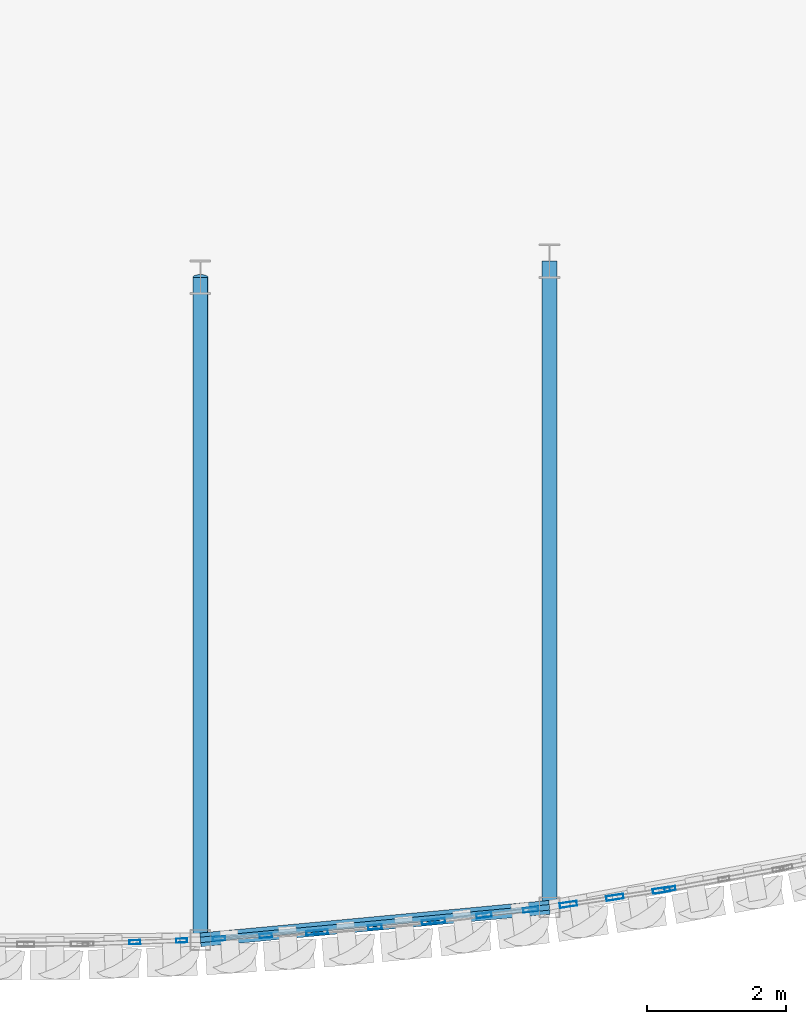
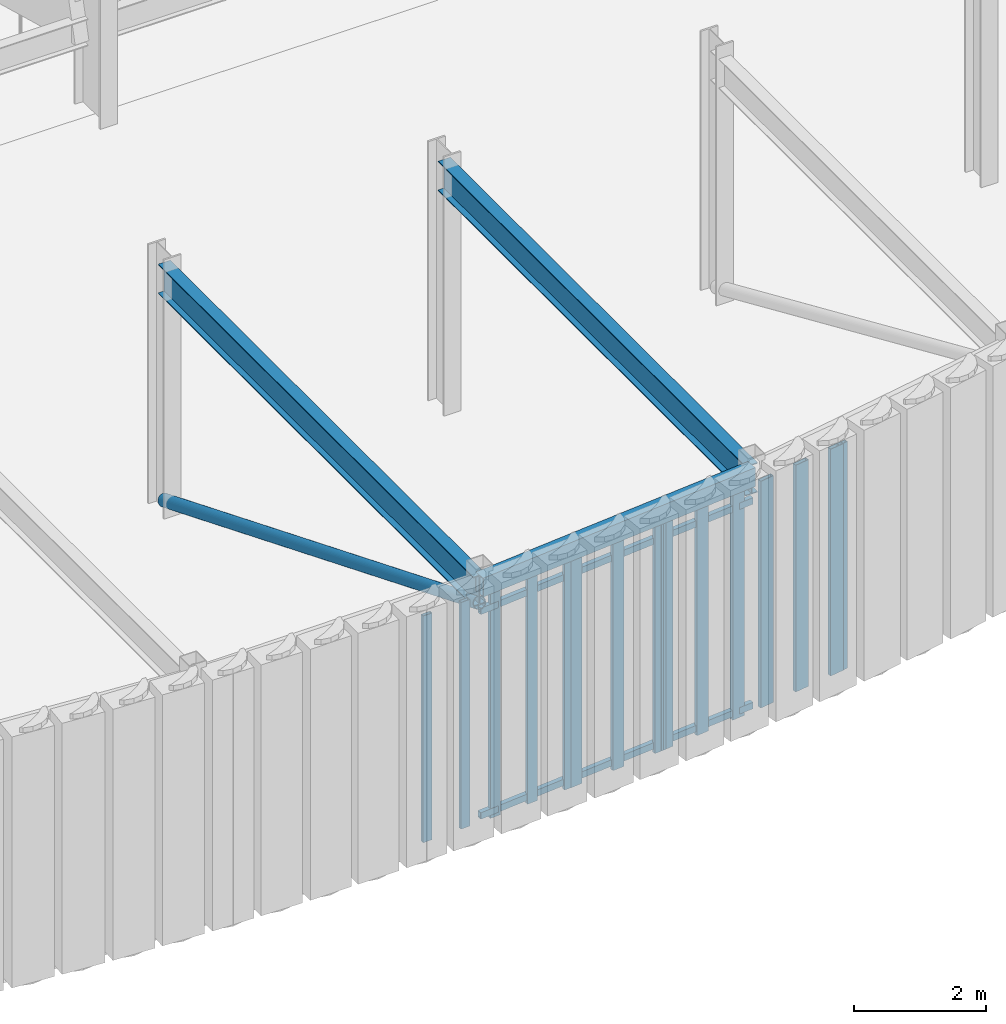
# One storey, part 46 of 121: 18 members, 3 beams, 6 elements without a shape of their own.
"""IFC4 building model written with IfcOpenShell, lengths in metres."""

from ifc_helpers import new_model, si_unit, direction, frame, origin, origin_2d, place, context, subcontext, project, spatial, hollow_rectangle, hollow_circle, i_section, extrude, material, layer, layer_set, material_profile, profile_set, type_object, element, aggregate, save


model = new_model("IFC4")

# Units and contexts
model_context = context("Model", 3, precision=1e-05, world=origin(), true_north=direction((0.0, 1.0)))
body_context = subcontext(model_context, "Body", "Model", "MODEL_VIEW")
ifc_project = project(units=[si_unit("LENGTHUNIT", "METRE"), si_unit("AREAUNIT", "SQUARE_METRE"), si_unit("VOLUMEUNIT", "CUBIC_METRE"), si_unit("PLANEANGLEUNIT", "RADIAN"), si_unit("MASSUNIT", "GRAM", prefix="KILO")], contexts=[model_context])

# Site, building, storey
site_placement = place(None, origin())
site = spatial("IfcSite", under=ifc_project, at=site_placement, CompositionType="ELEMENT")
building_placement = place(site_placement, origin())
building = spatial("IfcBuilding", under=site, at=building_placement, Name="Solvadek Multi-Sports Hall", CompositionType="ELEMENT")
storey_placement = place(building_placement, frame((0.0, 0.0, 4.800048828125)))
storey = spatial("IfcBuildingStorey", under=building, at=storey_placement, Name="L01", CompositionType="ELEMENT", Elevation=4.800048828125)

# Curtain wall, members
ifc_material_1 = material(Name="Anodised aluminium", Category="aluminium")
ifc_layer_1 = layer(ifc_material_1, 0.159912109375, Name="Anodised aluminium")
ifc_layer_set_1 = layer_set([ifc_layer_1], Name="Anodised aluminium")
curtain_wall_type_1 = type_object("IfcCurtainWallType", Name="ENV-CW-141X420", PredefinedType="USERDEFINED", material=ifc_layer_set_1)
curtain_wall_1_placement = place(storey_placement, origin())
curtain_wall_1 = element("IfcCurtainWall", 1, at=curtain_wall_1_placement, inside=storey, type_object=curtain_wall_type_1, Name="L01 Crescent Curved Curtain Wall #65", ObjectType="CURTAIN WALL", PredefinedType="USERDEFINED")
ifc_material_profile_1 = material_profile(ifc_material_1, hollow_rectangle(XDim=0.06005859375, YDim=0.159912109375, WallThickness=0.00390625, at=origin_2d()), Name="ALU-M 160x60x4")
ifc_profile_set_1 = profile_set([ifc_material_profile_1], Name="Anodised aluminium")
member_type_1 = type_object("IfcMemberType", Name="ENV-CWM-01", PredefinedType="MULLION", material=ifc_profile_set_1)
member_1_placement = place(storey_placement, frame((95.53515625, -13.161865234375, 0.0), z_axis=(0.0, 0.0, 1.0), x_axis=(-0.035011498004, 0.999386909564, 0.0)))
member_1 = element("IfcMember", 2, at=member_1_placement, type_object=member_type_1, Name="CW-28 mullion 2", PredefinedType="MULLION", context=body_context, shape_type="SweptSolid", body=[
    extrude(hollow_rectangle(XDim=0.06005859375, YDim=0.159912109375, WallThickness=0.00390625, at=origin_2d()), origin(), (0.0, 0.0, 1.0), 4.199951171875),
])
member_2_placement = place(storey_placement, frame((96.210205078125, -13.13818359375, 0.0), z_axis=(0.0, 0.0, 1.0), x_axis=(-0.035011498004, 0.999386909564, 0.0)))
member_2 = element("IfcMember", 3, at=member_2_placement, type_object=member_type_1, Name="CW-28 mullion 3", PredefinedType="MULLION", context=body_context, shape_type="SweptSolid", body=[
    extrude(hollow_rectangle(XDim=0.06005859375, YDim=0.159912109375, WallThickness=0.00390625, at=origin_2d()), origin(), (0.0, 0.0, 1.0), 4.199951171875),
])
aggregate(curtain_wall_1, [member_1, member_2])

# Curtain wall, member
ifc_layer_2 = layer(ifc_material_1, 0.159912109375, Name="Anodised aluminium")
ifc_layer_set_2 = layer_set([ifc_layer_2], Name="Anodised aluminium")
curtain_wall_type_2 = type_object("IfcCurtainWallType", Name="ENV-CW-165X420", PredefinedType="USERDEFINED", material=ifc_layer_set_2)
curtain_wall_2_placement = place(storey_placement, origin())
curtain_wall_2 = element("IfcCurtainWall", 4, at=curtain_wall_2_placement, inside=storey, type_object=curtain_wall_type_2, Name="L01 Crescent Curved Curtain Wall #75", ObjectType="CURTAIN WALL", PredefinedType="USERDEFINED")
member_3_placement = place(storey_placement, frame((103.259033203125, -12.39208984375, 0.0), z_axis=(0.0, 0.0, 1.0), x_axis=(-0.17939811869, 0.983776557461, 0.0)))
member_3 = element("IfcMember", 5, at=member_3_placement, type_object=member_type_1, Name="CW-25 mullion 1", PredefinedType="MULLION", context=body_context, shape_type="SweptSolid", body=[
    extrude(hollow_rectangle(XDim=0.06005859375, YDim=0.159912109375, WallThickness=0.00390625, at=origin_2d()), origin(), (0.0, 0.0, 1.0), 4.199951171875),
])
aggregate(curtain_wall_2, [member_3])

# Curtain wall, members
curtain_wall_3_placement = place(storey_placement, origin())
curtain_wall_3 = element("IfcCurtainWall", 6, at=curtain_wall_3_placement, inside=storey, type_object=curtain_wall_type_1, Name="L01 Crescent Curved Curtain Wall #67", ObjectType="CURTAIN WALL", PredefinedType="USERDEFINED")
ifc_material_profile_2 = material_profile(ifc_material_1, hollow_rectangle(XDim=0.06005859375, YDim=0.179931640625, WallThickness=0.00390625, at=origin_2d()), Name="ALU-M 180x60x4")
ifc_profile_set_2 = profile_set([ifc_material_profile_2], Name="Anodised aluminium")
member_type_2 = type_object("IfcMemberType", Name="ENV-CWM-02", PredefinedType="MULLION", material=ifc_profile_set_2)
member_4_placement = place(storey_placement, frame((96.74951171875, -13.111572265625, 0.0), z_axis=(0.0, 0.0, 1.0), x_axis=(-0.063955006096, 0.997952783049, 0.0)))
member_4 = element("IfcMember", 7, at=member_4_placement, type_object=member_type_2, Name="CW-28 mullion 1", PredefinedType="MULLION", context=body_context, shape_type="SweptSolid", body=[
    extrude(hollow_rectangle(XDim=0.06005859375, YDim=0.179931640625, WallThickness=0.00390625, at=origin_2d()), origin(), (0.0, 0.0, 1.0), 4.199951171875),
])
member_5_placement = place(storey_placement, frame((97.4248046875, -13.068115234375, 0.0), z_axis=(0.0, 0.0, 1.0), x_axis=(-0.063955006096, 0.997952783049, 0.0)))
member_5 = element("IfcMember", 8, at=member_5_placement, type_object=member_type_2, Name="CW-28 mullion 2", PredefinedType="MULLION", context=body_context, shape_type="SweptSolid", body=[
    extrude(hollow_rectangle(XDim=0.06005859375, YDim=0.179931640625, WallThickness=0.00390625, at=origin_2d()), origin(), (0.0, 0.0, 1.0), 4.199951171875),
])
member_6_placement = place(storey_placement, frame((98.10009765625, -13.02490234375, 0.0), z_axis=(0.0, 0.0, 1.0), x_axis=(-0.063955006096, 0.997952783049, 0.0)))
member_6 = element("IfcMember", 9, at=member_6_placement, type_object=member_type_2, Name="CW-28 mullion 3", PredefinedType="MULLION", context=body_context, shape_type="SweptSolid", body=[
    extrude(hollow_rectangle(XDim=0.06005859375, YDim=0.179931640625, WallThickness=0.00390625, at=origin_2d()), origin(), (0.0, 0.0, 1.0), 4.199951171875),
])
aggregate(curtain_wall_3, [member_4, member_5, member_6])

ifc_layer_3 = layer(ifc_material_1, 0.159912109375, Name="Anodised aluminium")
ifc_layer_set_3 = layer_set([ifc_layer_3], Name="Anodised aluminium")
curtain_wall_type_3 = type_object("IfcCurtainWallType", Name="ENV-CW-163X420", PredefinedType="USERDEFINED", material=ifc_layer_set_3)
curtain_wall_4_placement = place(storey_placement, origin())
curtain_wall_4 = element("IfcCurtainWall", 10, at=curtain_wall_4_placement, inside=storey, type_object=curtain_wall_type_3, Name="L01 Crescent Curved Curtain Wall #69", ObjectType="CURTAIN WALL", PredefinedType="USERDEFINED")
ifc_material_profile_3 = material_profile(ifc_material_1, hollow_rectangle(XDim=0.06494140625, YDim=0.199951171875, WallThickness=0.0048828125, at=origin_2d()), Name="ALU-M 200x65x5")
ifc_profile_set_3 = profile_set([ifc_material_profile_3], Name="Anodised aluminium")
member_type_3 = type_object("IfcMemberType", Name="ENV-CWM-03", PredefinedType="MULLION", material=ifc_profile_set_3)
member_7_placement = place(storey_placement, frame((98.22216796875, -13.015380859375, 0.0), z_axis=(0.0, 0.0, 1.0), x_axis=(-0.092796230852, 0.995685120678, 0.0)))
member_7 = element("IfcMember", 11, at=member_7_placement, type_object=member_type_3, Name="CW-15 mullion 1", PredefinedType="MULLION", context=body_context, shape_type="SweptSolid", body=[
    extrude(hollow_rectangle(XDim=0.06494140625, YDim=0.199951171875, WallThickness=0.0048828125, at=origin_2d()), origin(), (0.0, 0.0, 1.0), 4.199951171875),
])
member_8_placement = place(storey_placement, frame((99.0, -12.94287109375, 0.0), z_axis=(0.0, 0.0, 1.0), x_axis=(-0.092796230852, 0.995685120678, 0.0)))
member_8 = element("IfcMember", 12, at=member_8_placement, type_object=member_type_3, Name="CW-15 mullion 2", PredefinedType="MULLION", context=body_context, shape_type="SweptSolid", body=[
    extrude(hollow_rectangle(XDim=0.06494140625, YDim=0.199951171875, WallThickness=0.0048828125, at=origin_2d()), origin(), (0.0, 0.0, 1.0), 4.199951171875),
])
member_9_placement = place(storey_placement, frame((99.77783203125, -12.870361328125, 0.0), z_axis=(0.0, 0.0, 1.0), x_axis=(-0.092796230852, 0.995685120678, 0.0)))
member_9 = element("IfcMember", 13, at=member_9_placement, type_object=member_type_3, Name="CW-15 mullion 3", PredefinedType="MULLION", context=body_context, shape_type="SweptSolid", body=[
    extrude(hollow_rectangle(XDim=0.06494140625, YDim=0.199951171875, WallThickness=0.0048828125, at=origin_2d()), origin(), (0.0, 0.0, 1.0), 4.199951171875),
])
aggregate(curtain_wall_4, [member_7, member_8, member_9])

ifc_layer_4 = layer(ifc_material_1, 0.159912109375, Name="Anodised aluminium")
ifc_layer_set_4 = layer_set([ifc_layer_4], Name="Anodised aluminium")
curtain_wall_type_4 = type_object("IfcCurtainWallType", Name="ENV-CW-142X420", PredefinedType="USERDEFINED", material=ifc_layer_set_4)
curtain_wall_5_placement = place(storey_placement, origin())
curtain_wall_5 = element("IfcCurtainWall", 14, at=curtain_wall_5_placement, inside=storey, type_object=curtain_wall_type_4, Name="L01 Crescent Curved Curtain Wall #71", ObjectType="CURTAIN WALL", PredefinedType="USERDEFINED")
ifc_material_profile_4 = material_profile(ifc_material_1, hollow_rectangle(XDim=0.06494140625, YDim=0.219970703125, WallThickness=0.0048828125, at=origin_2d()), Name="ALU-M 220x65x5")
ifc_profile_set_4 = profile_set([ifc_material_profile_4], Name="Anodised aluminium")
member_type_4 = type_object("IfcMemberType", Name="ENV-CWM-04", PredefinedType="MULLION", material=ifc_profile_set_4)
member_10_placement = place(storey_placement, frame((99.902099609375, -12.85693359375, 0.0), z_axis=(0.0, 0.0, 1.0), x_axis=(-0.12168111635, 0.992569244901, 0.0)))
member_10 = element("IfcMember", 15, at=member_10_placement, type_object=member_type_4, Name="CW-27 mullion 1", PredefinedType="MULLION", context=body_context, shape_type="SweptSolid", body=[
    extrude(hollow_rectangle(XDim=0.06494140625, YDim=0.219970703125, WallThickness=0.0048828125, at=origin_2d()), origin(), (0.0, 0.0, 1.0), 4.199951171875),
])
member_11_placement = place(storey_placement, frame((100.57568359375, -12.7744140625, 0.0), z_axis=(0.0, 0.0, 1.0), x_axis=(-0.12168111635, 0.992569244901, 0.0)))
member_11 = element("IfcMember", 16, at=member_11_placement, type_object=member_type_4, Name="CW-27 mullion 2", PredefinedType="MULLION", context=body_context, shape_type="SweptSolid", body=[
    extrude(hollow_rectangle(XDim=0.06494140625, YDim=0.219970703125, WallThickness=0.0048828125, at=origin_2d()), origin(), (0.0, 0.0, 1.0), 4.199951171875),
])
member_12_placement = place(storey_placement, frame((101.24951171875, -12.691650390625, 0.0), z_axis=(0.0, 0.0, 1.0), x_axis=(-0.12168111635, 0.992569244901, 0.0)))
member_12 = element("IfcMember", 17, at=member_12_placement, type_object=member_type_4, Name="CW-27 mullion 3", PredefinedType="MULLION", context=body_context, shape_type="SweptSolid", body=[
    extrude(hollow_rectangle(XDim=0.06494140625, YDim=0.219970703125, WallThickness=0.0048828125, at=origin_2d()), origin(), (0.0, 0.0, 1.0), 4.199951171875),
])
aggregate(curtain_wall_5, [member_10, member_11, member_12])

ifc_layer_5 = layer(ifc_material_1, 0.159912109375, Name="Anodised aluminium")
ifc_layer_set_5 = layer_set([ifc_layer_5], Name="Anodised aluminium")
curtain_wall_type_5 = type_object("IfcCurtainWallType", Name="ENV-CW-143X420", PredefinedType="USERDEFINED", material=ifc_layer_set_5)
curtain_wall_6_placement = place(storey_placement, origin())
curtain_wall_6 = element("IfcCurtainWall", 18, at=curtain_wall_6_placement, inside=storey, type_object=curtain_wall_type_5, Name="L01 Crescent Curved Curtain Wall #73", ObjectType="CURTAIN WALL", PredefinedType="USERDEFINED")
ifc_material_profile_5 = material_profile(ifc_material_1, hollow_rectangle(XDim=0.070068359375, YDim=0.25, WallThickness=0.0048828125, at=origin_2d()), Name="ALU-M 250x70x5")
ifc_profile_set_5 = profile_set([ifc_material_profile_5], Name="Anodised aluminium")
member_type_5 = type_object("IfcMemberType", Name="ENV-CWM-05", PredefinedType="MULLION", material=ifc_profile_set_5)
member_13_placement = place(storey_placement, frame((101.7919921875, -12.6171875, 0.0), z_axis=(0.0, 0.0, 1.0), x_axis=(-0.150563892653, 0.98860028031, 0.0)))
member_13 = element("IfcMember", 19, at=member_13_placement, type_object=member_type_5, Name="CW-26 mullion 1", PredefinedType="MULLION", context=body_context, shape_type="SweptSolid", body=[
    extrude(hollow_rectangle(XDim=0.070068359375, YDim=0.25, WallThickness=0.0048828125, at=origin_2d()), origin(), (0.0, 0.0, 1.0), 4.199951171875),
])
member_14_placement = place(storey_placement, frame((102.4638671875, -12.514892578125, 0.0), z_axis=(0.0, 0.0, 1.0), x_axis=(-0.150563892653, 0.98860028031, 0.0)))
member_14 = element("IfcMember", 20, at=member_14_placement, type_object=member_type_5, Name="CW-26 mullion 2", PredefinedType="MULLION", context=body_context, shape_type="SweptSolid", body=[
    extrude(hollow_rectangle(XDim=0.070068359375, YDim=0.25, WallThickness=0.0048828125, at=origin_2d()), origin(), (0.0, 0.0, 1.0), 4.199951171875),
])
member_15_placement = place(storey_placement, frame((103.1357421875, -12.41259765625, 0.0), z_axis=(0.0, 0.0, 1.0), x_axis=(-0.150563892653, 0.98860028031, 0.0)))
member_15 = element("IfcMember", 21, at=member_15_placement, type_object=member_type_5, Name="CW-26 mullion 3", PredefinedType="MULLION", context=body_context, shape_type="SweptSolid", body=[
    extrude(hollow_rectangle(XDim=0.070068359375, YDim=0.25, WallThickness=0.0048828125, at=origin_2d()), origin(), (0.0, 0.0, 1.0), 4.199951171875),
])
aggregate(curtain_wall_6, [member_13, member_14, member_15])

# Beams
ifc_material_2 = material(Name="Steel E350 (350 MPa)", Category="steel")
ifc_material_profile_6 = material_profile(ifc_material_2, i_section(OverallWidth=0.2099609375, OverallDepth=0.550048828125, WebThickness=0.010986328125, FlangeThickness=0.01708984375, at=origin_2d()), Name="NPB 550")
ifc_profile_set_6 = profile_set([ifc_material_profile_6], Name="Steel E350 (350 MPa)")
beam_type_1 = type_object("IfcBeamType", Name="STR-BM-NPB550", PredefinedType="BEAM", material=ifc_profile_set_6)
beam_1_placement = place(storey_placement, frame((96.47998046875, -13.128662109375, 4.284912109375), z_axis=(0.0, 1.0, 0.0), x_axis=(-1.0, 0.0, 0.0)))
element("IfcBeam", 22, at=beam_1_placement, inside=storey, type_object=beam_type_1, Name="L01 Girder B-05 #1282", PredefinedType="BEAM", context=body_context, shape_type="SweptSolid", body=[
    extrude(i_section(OverallWidth=0.2099609375, OverallDepth=0.550048828125, WebThickness=0.010986328125, FlangeThickness=0.01708984375, at=origin_2d()), origin(), (0.0, 0.0, 1.0), 9.564208984375),
])
beam_2_placement = place(storey_placement, frame((101.52001953125, -12.65869140625, 4.284912109375), z_axis=(0.0, 1.0, 0.0), x_axis=(-1.0, 0.0, 0.0)))
element("IfcBeam", 23, at=beam_2_placement, inside=storey, type_object=beam_type_1, Name="L01 Girder B-05 #1284", PredefinedType="BEAM", context=body_context, shape_type="SweptSolid", body=[
    extrude(i_section(OverallWidth=0.2099609375, OverallDepth=0.550048828125, WebThickness=0.010986328125, FlangeThickness=0.01708984375, at=origin_2d()), origin(), (0.0, 0.0, 1.0), 9.329345703125),
])

# Member
ifc_material_profile_7 = material_profile(ifc_material_2, hollow_circle(Radius=0.109619140625, WallThickness=0.010009765625, at=origin_2d()), Name="CHS 219.1x10")
ifc_profile_set_7 = profile_set([ifc_material_profile_7], Name="Steel E350 (350 MPa)")
member_type_6 = type_object("IfcMemberType", Name="STR-BRC-CHS219", PredefinedType="BRACE", material=ifc_profile_set_7)
member_16_placement = place(storey_placement, frame((96.47998046875, -3.564453125, 0.14990234375), z_axis=(0.0, -0.925969956095, 0.377597193328), x_axis=(1.0, 0.0, 0.0)))
element("IfcMember", 24, at=member_16_placement, inside=storey, type_object=member_type_6, Name="L01 Crescent Radial Truss Diagonal #4", PredefinedType="BRACE", context=body_context, shape_type="SweptSolid", body=[
    extrude(hollow_circle(Radius=0.109619140625, WallThickness=0.010009765625, at=origin_2d()), origin(), (0.0, 0.0, 1.0), 10.328857421875),
])

# Beam
ifc_material_profile_8 = material_profile(ifc_material_2, hollow_rectangle(XDim=0.199951171875, YDim=0.35009765625, WallThickness=0.011962890625, at=origin_2d()), Name="RHS 350x200x12")
ifc_profile_set_8 = profile_set([ifc_material_profile_8], Name="Steel E350 (350 MPa)")
beam_type_2 = type_object("IfcBeamType", Name="STR-SPN-RHS350", PredefinedType="SPANDREL", material=ifc_profile_set_8)
beam_3_placement = place(storey_placement, frame((96.47998046875, -13.128662109375, 4.385009765625), z_axis=(0.995680605948, 0.092844660262, 0.0), x_axis=(-0.092844660262, 0.995680605948, 0.0)))
element("IfcBeam", 25, at=beam_3_placement, inside=storey, type_object=beam_type_2, Name="L01 Curved Crescent Spandrel #50", PredefinedType="SPANDREL", context=body_context, shape_type="SweptSolid", body=[
    extrude(hollow_rectangle(XDim=0.199951171875, YDim=0.35009765625, WallThickness=0.011962890625, at=origin_2d()), origin(), (0.0, 0.0, 1.0), 5.06201171875),
])

# Members
ifc_material_3 = material(Name="Steel E250 (250 MPa)", Category="steel")
ifc_material_profile_9 = material_profile(ifc_material_3, hollow_rectangle(XDim=0.080078125, YDim=0.1201171875, WallThickness=0.006103515625, at=origin_2d()), Name="RHS 120x80x6")
ifc_profile_set_9 = profile_set([ifc_material_profile_9], Name="Steel E250 (250 MPa)")
member_type_7 = type_object("IfcMemberType", Name="STR-STD-RHS120", PredefinedType="STUD", material=ifc_profile_set_9)
for number, where, z_axis, x_axis, name in (
    (26, (96.47998046875, -13.128662109375, 0.119873046875), (0.995680605948, 0.092844660262, 0.0), (-0.092844660262, 0.995680605948, 0.0), "L01 Flute Subframe Rail E-3 bot"),
    (27, (96.47998046875, -13.128662109375, 3.909912109375), (0.995680605948, 0.092844660262, 0.0), (-0.092844660262, 0.995680605948, 0.0), "L01 Flute Subframe Rail E-3 top"),
):
    element("IfcMember", number, at=place(storey_placement, frame(where, z_axis=z_axis, x_axis=x_axis)), inside=storey, type_object=member_type_7, Name=name, PredefinedType="STUD", context=body_context, shape_type="SweptSolid", body=[
        extrude(hollow_rectangle(XDim=0.080078125, YDim=0.1201171875, WallThickness=0.006103515625, at=origin_2d()), origin(), (0.0, 0.0, 1.0), 5.06201171875),
    ])

save(model, "model.ifc")
